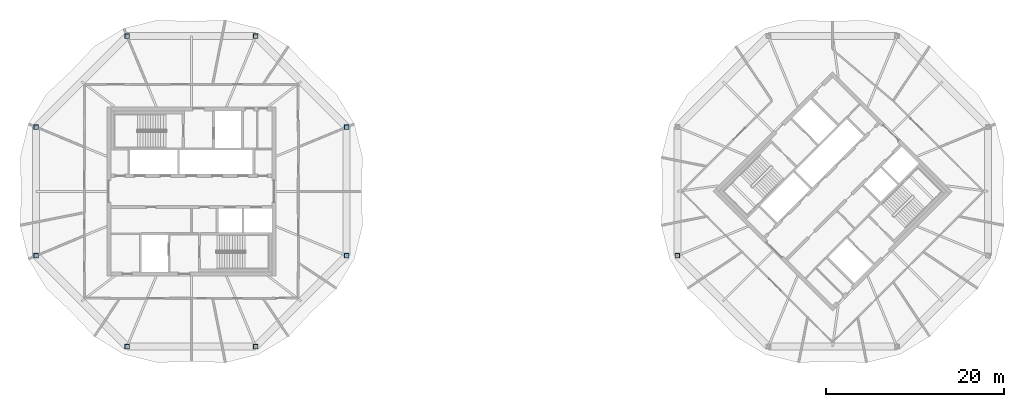
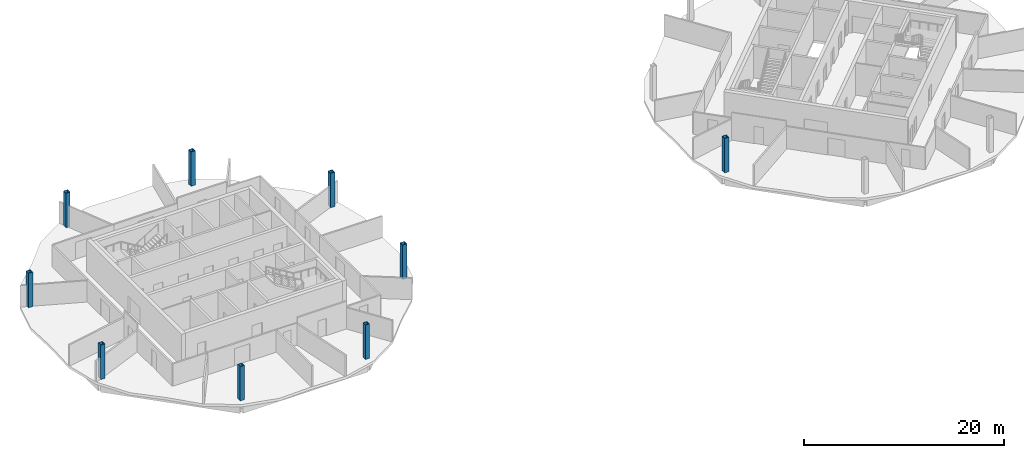
# One storey, part 1 of 10: 9 columns.
"""IFC4 building model written with IfcOpenShell, lengths in metres."""

from ifc_helpers import new_model, si_unit, direction, frame, origin, origin_2d, place, context, subcontext, project, spatial, hollow_rectangle, extrude, material, material_profile, profile_set, type_object, element, save


model = new_model("IFC4")

# Units and contexts
model_context = context("Model", 3, precision=1e-05, world=origin(), true_north=direction((0.0, 1.0)))
body_context = subcontext(model_context, "Body", "Model", "MODEL_VIEW")
ifc_project = project(units=[si_unit("LENGTHUNIT", "METRE"), si_unit("AREAUNIT", "SQUARE_METRE"), si_unit("VOLUMEUNIT", "CUBIC_METRE"), si_unit("PLANEANGLEUNIT", "RADIAN"), si_unit("MASSUNIT", "GRAM", prefix="KILO")], contexts=[model_context])

# Site, building, storey
site_placement = place(None, origin())
site = spatial("IfcSite", under=ifc_project, at=site_placement, CompositionType="ELEMENT")
building_placement = place(site_placement, origin())
building = spatial("IfcBuilding", under=site, at=building_placement, Name="Ogive Gate Towers", CompositionType="ELEMENT")
storey_placement = place(building_placement, frame((0.0, 0.0, 260.39990234375)))
storey = spatial("IfcBuildingStorey", under=building, at=storey_placement, Name="L61", CompositionType="ELEMENT", Elevation=260.39990234375)

# Columns
ifc_material = material(Name="Steel SM460", Category="steel")
ifc_material_profile = material_profile(ifc_material, hollow_rectangle(XDim=0.5, YDim=0.5, WallThickness=0.030029296875, at=origin_2d()), Name="BX 500x500x30")
ifc_profile_set = profile_set([ifc_material_profile], Name="Steel SM460")
column_type = type_object("IfcColumnType", Name="Perimeter post BX 500x500x30", PredefinedType="COLUMN", material=ifc_profile_set)
for number, where, z_axis, x_axis, name in (
    (1, (-18.57568359375, 7.217529296875, 0.0), (0.0, 0.0, 1.0), (1.0, 0.0, 0.0), "T1/L61/SCL001"),
    (2, (-28.782470703125, 17.42431640625, 0.0), (0.0, 0.0, 1.0), (1.0, 0.0, 0.0), "T1/L61/SCL002"),
    (3, (-43.217529296875, 17.42431640625, 0.0), (0.0, 0.0, 1.0), (1.0, 0.0, 0.0), "T1/L61/SCL003"),
    (4, (-53.42431640625, 7.217529296875, 0.0), (0.0, 0.0, 1.0), (1.0, 0.0, 0.0), "T1/L61/SCL004"),
    (5, (-53.42431640625, -7.217529296875, 0.0), (0.0, 0.0, 1.0), (1.0, 0.0, 0.0), "T1/L61/SCL005"),
    (6, (-43.217529296875, -17.42431640625, 0.0), (0.0, 0.0, 1.0), (1.0, 0.0, 0.0), "T1/L61/SCL006"),
    (7, (-28.782470703125, -17.42431640625, 0.0), (0.0, 0.0, 1.0), (1.0, 0.0, 0.0), "T1/L61/SCL007"),
    (8, (-18.57568359375, -7.217529296875, 0.0), (0.0, 0.0, 1.0), (1.0, 0.0, 0.0), "T1/L61/SCL008"),
    (9, (18.57568359375, -7.217529296875, 0.0), (0.0, 0.0, 1.0), (1.0, 0.0, 0.0), "T2/L61/SCL005"),
):
    element("IfcColumn", number, at=place(storey_placement, frame(where, z_axis=z_axis, x_axis=x_axis)), inside=storey, type_object=column_type, Name=name, PredefinedType="COLUMN", context=body_context, shape_type="SweptSolid", body=[
        extrude(hollow_rectangle(XDim=0.5, YDim=0.5, WallThickness=0.030029296875, at=origin_2d()), origin(), (0.0, 0.0, 1.0), 4.2001953125),
    ])

save(model, "model.ifc")
